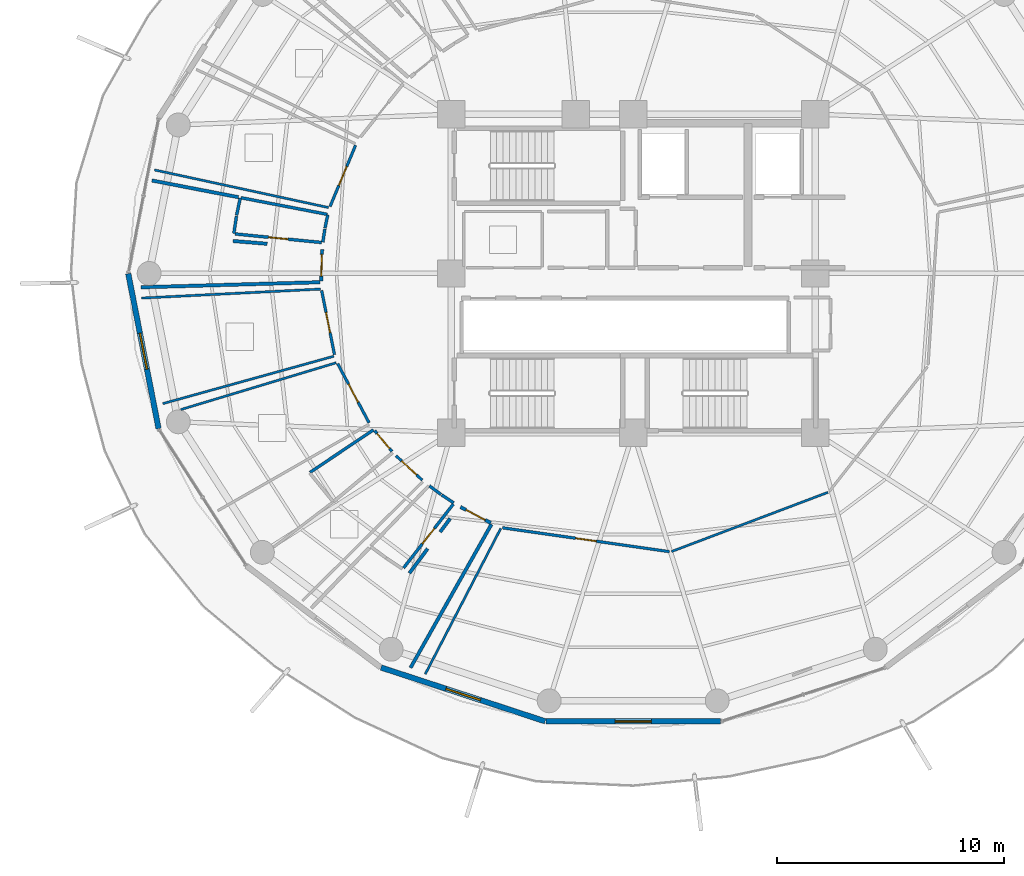
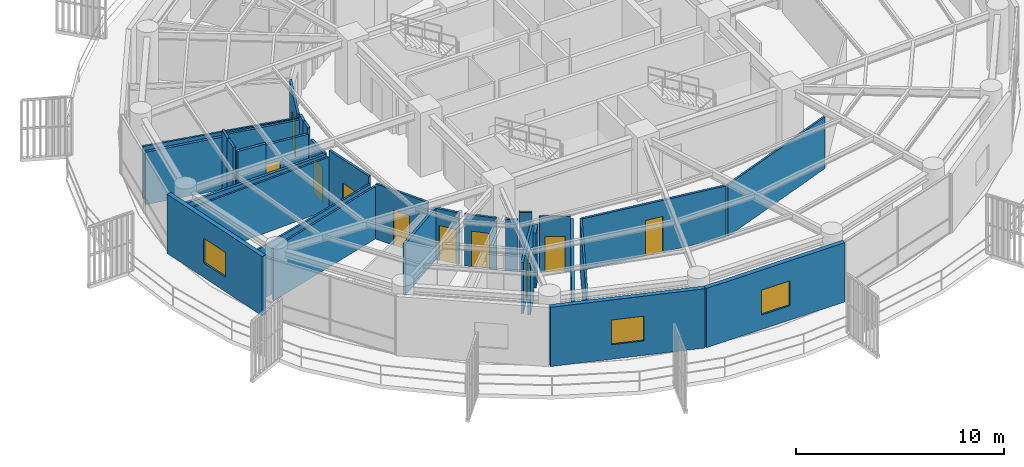
# One storey, part 24 of 31: 33 walls, 10 doors, 3 windows, 13 openings.
"""IFC4 building model written with IfcOpenShell, lengths in metres."""

from ifc_helpers import new_model, si_unit, direction, frame, frame_2d, origin, place, context, subcontext, project, spatial, rectangle, extrude, material, layer, layer_set, type_object, element, fill, save


model = new_model("IFC4")

# Units and contexts
model_context = context("Model", 3, precision=1e-05, world=origin(), true_north=direction((0.0, 1.0)))
body_context = subcontext(model_context, "Body", "Model", "MODEL_VIEW")
ifc_project = project(units=[si_unit("LENGTHUNIT", "METRE"), si_unit("AREAUNIT", "SQUARE_METRE"), si_unit("VOLUMEUNIT", "CUBIC_METRE"), si_unit("PLANEANGLEUNIT", "RADIAN"), si_unit("MASSUNIT", "GRAM", prefix="KILO")], contexts=[model_context])

# Site, building, storey
site_placement = place(None, origin())
site = spatial("IfcSite", under=ifc_project, at=site_placement, CompositionType="ELEMENT")
building_placement = place(site_placement, origin())
building = spatial("IfcBuilding", under=site, at=building_placement, Name="Kelanora Arch Commons", CompositionType="ELEMENT")
storey_placement = place(building_placement, frame((0.0, 0.0, 200.699951171875)))
storey = spatial("IfcBuildingStorey", under=building, at=storey_placement, Name="L51", CompositionType="ELEMENT", Elevation=200.699951171875)

# Wall, opening, door
ifc_material_1 = material(Name="Autoclaved aerated concrete blockwork with fire plaster", Category="masonry")
ifc_layer_1 = layer(ifc_material_1, 0.14990234375)
ifc_layer_set_1 = layer_set([ifc_layer_1], Name="Autoclaved aerated concrete blockwork with fire plaster")
wall_type_1 = type_object("IfcWallType", Name="W-COMP-150", PredefinedType="PARTITIONING", material=ifc_layer_set_1)
wall_1_placement = place(storey_placement, frame((60.322998046875, 59.0458984375, 0.0), z_axis=(0.0, 0.0, 1.0), x_axis=(-0.032172559415, -0.999482329219, 0.0)))
wall_1 = element("IfcWall", 1, at=wall_1_placement, inside=storey, type_object=wall_type_1, Name="Co-Living Studio L51-04 Entry Partition", PredefinedType="PARTITIONING", context=body_context, shape_type="SweptSolid", body=[
    extrude(rectangle(XDim=1.37353515625, YDim=0.14990234375, at=frame_2d((0.686767578125, 0.0))), origin(), (0.0, 0.0, 1.0), 3.025146484375),
])
opening_1_placement = place(wall_1_placement, frame((0.2119140625, 0.0, 0.0)))
opening_1 = element("IfcOpeningElement", 2, at=opening_1_placement, cuts=wall_1, Name="Opening D-CLU1", PredefinedType="OPENING", context=body_context, shape_type="SweptSolid", body=[
    extrude(rectangle(XDim=0.949951171875, YDim=2.080078125, at=frame_2d((0.47509765625, 1.0400390625))), frame((0.0, 0.0849609375, 0.0), z_axis=(0.0, -1.0, 0.0), x_axis=(1.0, 0.0, 0.0)), (0.0, 0.0, 1.0), 0.169921875),
])
ifc_material_2 = material(Name="Solid-core acoustic timber cluster entry fire door", Category="wood")
door_type_1 = type_object("IfcDoorType", Name="D-CLU-95", OperationType="NOTDEFINED", PredefinedType="DOOR", material=ifc_material_2)
door_1_placement = place(opening_1_placement, origin())
door_1 = element("IfcDoor", 3, at=door_1_placement, inside=storey, type_object=door_type_1, Name="Co-Living Studio L51-04 Door", OperationType="SINGLE_SWING_RIGHT", OverallHeight=2.080078125, OverallWidth=0.949951171875, PredefinedType="DOOR", context=body_context, shape_type="SweptSolid", body=[
    extrude(rectangle(XDim=0.949951171875, YDim=2.080078125, at=frame_2d((0.47509765625, 1.0400390625))), frame((0.0, 0.02490234375, 0.0), z_axis=(0.0, -1.0, 0.0), x_axis=(1.0, 0.0, 0.0)), (0.0, 0.0, 1.0), 0.050048828125),
])
fill(opening_1, door_1)

wall_2_placement = place(storey_placement, frame((66.406005859375, 47.73193359375, 0.0), z_axis=(0.0, 0.0, 1.0), x_axis=(0.884766555002, -0.466034487083, 0.0)))
wall_2 = element("IfcWall", 4, at=wall_2_placement, inside=storey, type_object=wall_type_1, Name="Co-Living Studio L51-08 Entry Partition", PredefinedType="PARTITIONING", context=body_context, shape_type="SweptSolid", body=[
    extrude(rectangle(XDim=1.501953125, YDim=0.14990234375, at=frame_2d((0.7509765625, 0.0))), origin(), (0.0, 0.0, 1.0), 3.235107421875),
])
opening_2_placement = place(wall_2_placement, frame((0.27587890625, 0.0, 0.0)))
opening_2 = element("IfcOpeningElement", 5, at=opening_2_placement, cuts=wall_2, Name="Opening D-CLU1", PredefinedType="OPENING", context=body_context, shape_type="SweptSolid", body=[
    extrude(rectangle(XDim=0.949951171875, YDim=2.080078125, at=frame_2d((0.47509765625, 1.0400390625))), frame((0.0, 0.0849609375, 0.0), z_axis=(0.0, -1.0, 0.0), x_axis=(1.0, 0.0, 0.0)), (0.0, 0.0, 1.0), 0.169921875),
])
door_2_placement = place(opening_2_placement, origin())
door_2 = element("IfcDoor", 6, at=door_2_placement, inside=storey, type_object=door_type_1, Name="Co-Living Studio L51-08 Door", OperationType="SINGLE_SWING_RIGHT", OverallHeight=2.080078125, OverallWidth=0.949951171875, PredefinedType="DOOR", context=body_context, shape_type="SweptSolid", body=[
    extrude(rectangle(XDim=0.949951171875, YDim=2.080078125, at=frame_2d((0.47509765625, 1.0400390625))), frame((0.0, 0.02490234375, 0.0), z_axis=(0.0, -1.0, 0.0), x_axis=(1.0, 0.0, 0.0)), (0.0, 0.0, 1.0), 0.050048828125),
])
fill(opening_2, door_2)

# Walls
wall_3_placement = place(storey_placement, frame((60.237060546875, 57.61181640625, 0.0), z_axis=(0.0, 0.0, 1.0), x_axis=(-0.999599617875, -0.028294945576, 0.0)))
element("IfcWall", 7, at=wall_3_placement, inside=storey, type_object=wall_type_1, Name="Co-Living Studio L51-04 Enclosure Partition 2", PredefinedType="PARTITIONING", context=body_context, shape_type="SweptSolid", body=[
    extrude(rectangle(XDim=7.869140625, YDim=0.14990234375, at=frame_2d((3.9345703125, 0.0))), origin(), (0.0, 0.0, 1.0), 3.074951171875),
])
wall_4_placement = place(storey_placement, frame((52.84326171875, 62.08447265625, 0.0), z_axis=(0.0, 0.0, 1.0), x_axis=(0.981831342876, -0.189755669601, 0.0)))
element("IfcWall", 8, at=wall_4_placement, inside=storey, type_object=wall_type_1, Name="Co-Living Studio L51-04 Enclosure Partition 5", PredefinedType="PARTITIONING", context=body_context, shape_type="SweptSolid", body=[
    extrude(rectangle(XDim=3.8779296875, YDim=0.14990234375, at=frame_2d((1.93896484375, 0.0))), origin(), (0.0, 0.0, 1.0), 3.074951171875),
])
wall_5_placement = place(storey_placement, frame((56.406005859375, 59.423828125, 0.0), z_axis=(0.0, 0.0, 1.0), x_axis=(0.996727287989, -0.080837574046, 0.0)))
element("IfcWall", 9, at=wall_5_placement, inside=storey, type_object=wall_type_1, Name="Co-Living Studio L51-04 Enclosure Partition 7", PredefinedType="PARTITIONING", context=body_context, shape_type="SweptSolid", body=[
    extrude(rectangle(XDim=1.510009765625, YDim=0.14990234375, at=frame_2d((0.7548828125, 0.0))), origin(), (0.0, 0.0, 1.0), 3.47998046875),
])
wall_6_placement = place(storey_placement, frame((67.768310546875, 46.96923828125, 0.0), z_axis=(0.0, 0.0, 1.0), x_axis=(-0.491338239217, -0.870968848285, 0.0)))
element("IfcWall", 10, at=wall_6_placement, inside=storey, type_object=wall_type_1, Name="Co-Living Studio L51-08 Enclosure Partition 2", PredefinedType="PARTITIONING", context=body_context, shape_type="SweptSolid", body=[
    extrude(rectangle(XDim=7.24072265625, YDim=0.14990234375, at=frame_2d((3.620361328125, 0.0))), origin(), (0.0, 0.0, 1.0), 3.074951171875),
])
wall_7_placement = place(storey_placement, frame((64.161865234375, 44.822998046875, 0.0), z_axis=(0.0, 0.0, 1.0), x_axis=(0.597925227294, 0.801551883889, 0.0)))
element("IfcWall", 11, at=wall_7_placement, inside=storey, type_object=wall_type_1, Name="Co-Living Studio L51-08 Enclosure Partition 7", PredefinedType="PARTITIONING", context=body_context, shape_type="SweptSolid", body=[
    extrude(rectangle(XDim=1.338134765625, YDim=0.14990234375, at=frame_2d((0.6689453125, 0.0))), origin(), (0.0, 0.0, 1.0), 3.025146484375),
])
wall_8_placement = place(storey_placement, frame((65.51220703125, 46.633056640625, 0.0), z_axis=(0.0, 0.0, 1.0), x_axis=(0.598093921347, 0.801426017327, 0.0)))
element("IfcWall", 12, at=wall_8_placement, inside=storey, type_object=wall_type_1, Name="Co-Living Studio L51-08 Enclosure Partition 7", PredefinedType="PARTITIONING", context=body_context, shape_type="SweptSolid", body=[
    extrude(rectangle(XDim=0.738525390625, YDim=0.14990234375, at=frame_2d((0.369140625, 0.0))), origin(), (0.0, 0.0, 1.0), 3.235107421875),
])

# Wall, opening, window
ifc_material_3 = material(Name="Precast concrete C40/50 upper-zone terracotta rainscreen", Category="masonry")
ifc_layer_2 = layer(ifc_material_3, 0.239990234375)
ifc_layer_set_2 = layer_set([ifc_layer_2], Name="Precast concrete C40/50 upper-zone terracotta rainscreen")
wall_type_2 = type_object("IfcWallType", Name="W-EXT-TC2", PredefinedType="SOLIDWALL", material=ifc_layer_set_2)
wall_9_placement = place(storey_placement, frame((51.802978515625, 57.9853515625, 0.0), z_axis=(0.0, 0.0, 1.0), x_axis=(0.192069055673, -0.981381413036, 0.0)))
wall_9 = element("IfcWall", 13, at=wall_9_placement, inside=storey, type_object=wall_type_2, Name="Terracotta Exterior Wall L51-B09", PredefinedType="SOLIDWALL", context=body_context, shape_type="SweptSolid", body=[
    extrude(rectangle(XDim=6.940185546875, YDim=0.239990234375, at=frame_2d((3.47021484375, 0.0))), origin(), (0.0, 0.0, 1.0), 3.47509765625),
])
opening_3_placement = place(wall_9_placement, frame((2.669921875, 0.0, 0.85009765625)))
opening_3 = element("IfcOpeningElement", 14, at=opening_3_placement, cuts=wall_9, Name="Opening WN-01", PredefinedType="OPENING", context=body_context, shape_type="SweptSolid", body=[
    extrude(rectangle(XDim=1.60009765625, YDim=1.449951171875, at=frame_2d((0.800048828125, 0.72509765625))), frame((0.0, 0.1298828125, 0.0), z_axis=(0.0, -1.0, 0.0), x_axis=(1.0, 0.0, 0.0)), (0.0, 0.0, 1.0), 0.260009765625),
])
ifc_material_4 = material(Name="Terracotta-anodised aluminium frame with operable low-E glazing", Category="masonry")
window_type = type_object("IfcWindowType", Name="WIN-CL-18", PartitioningType="DOUBLE_PANEL_VERTICAL", PredefinedType="WINDOW", material=ifc_material_4)
window_1_placement = place(opening_3_placement, origin())
window_1 = element("IfcWindow", 15, at=window_1_placement, inside=storey, type_object=window_type, Name="Co-Living Operable Window L51-B09", OverallHeight=1.449951171875, OverallWidth=1.60009765625, PartitioningType="SINGLE_PANEL", PredefinedType="WINDOW", context=body_context, shape_type="SweptSolid", body=[
    extrude(rectangle(XDim=1.60009765625, YDim=1.449951171875, at=frame_2d((0.800048828125, 0.72509765625))), frame((0.0, 0.030029296875, 0.0), z_axis=(0.0, -1.0, 0.0), x_axis=(1.0, 0.0, 0.0)), (0.0, 0.0, 1.0), 0.06005859375),
])
fill(opening_3, window_1)

wall_10_placement = place(storey_placement, frame((62.914306640625, 40.6748046875, 0.0), z_axis=(0.0, 0.0, 1.0), x_axis=(0.95022142767, -0.31157541366, 0.0)))
wall_10 = element("IfcWall", 16, at=wall_10_placement, inside=storey, type_object=wall_type_2, Name="Terracotta Exterior Wall L51-B12", PredefinedType="SOLIDWALL", context=body_context, shape_type="SweptSolid", body=[
    extrude(rectangle(XDim=7.59423828125, YDim=0.239990234375, at=frame_2d((3.797119140625, 0.0))), origin(), (0.0, 0.0, 1.0), 3.47509765625),
])
opening_4_placement = place(wall_10_placement, frame((2.9970703125, 0.0, 0.85009765625)))
opening_4 = element("IfcOpeningElement", 17, at=opening_4_placement, cuts=wall_10, Name="Opening WN-01", PredefinedType="OPENING", context=body_context, shape_type="SweptSolid", body=[
    extrude(rectangle(XDim=1.60009765625, YDim=1.449951171875, at=frame_2d((0.800048828125, 0.72509765625))), frame((0.0, 0.1298828125, 0.0), z_axis=(0.0, -1.0, 0.0), x_axis=(1.0, 0.0, 0.0)), (0.0, 0.0, 1.0), 0.260009765625),
])
window_2_placement = place(opening_4_placement, origin())
window_2 = element("IfcWindow", 18, at=window_2_placement, inside=storey, type_object=window_type, Name="Co-Living Operable Window L51-B12", OverallHeight=1.449951171875, OverallWidth=1.60009765625, PartitioningType="SINGLE_PANEL", PredefinedType="WINDOW", context=body_context, shape_type="SweptSolid", body=[
    extrude(rectangle(XDim=1.60009765625, YDim=1.449951171875, at=frame_2d((0.800048828125, 0.72509765625))), frame((0.0, 0.030029296875, 0.0), z_axis=(0.0, -1.0, 0.0), x_axis=(1.0, 0.0, 0.0)), (0.0, 0.0, 1.0), 0.06005859375),
])
fill(opening_4, window_2)

wall_11_placement = place(storey_placement, frame((70.159912109375, 38.3037109375, 0.0), z_axis=(0.0, 0.0, 1.0), x_axis=(1.0, 0.0, 0.0)))
wall_11 = element("IfcWall", 19, at=wall_11_placement, inside=storey, type_object=wall_type_2, Name="Terracotta Exterior Wall L51-B13", PredefinedType="SOLIDWALL", context=body_context, shape_type="SweptSolid", body=[
    extrude(rectangle(XDim=7.68017578125, YDim=0.239990234375, at=frame_2d((3.840087890625, 0.0))), origin(), (0.0, 0.0, 1.0), 3.47509765625),
])
opening_5_placement = place(wall_11_placement, frame((3.0400390625, 0.0, 0.85009765625)))
opening_5 = element("IfcOpeningElement", 20, at=opening_5_placement, cuts=wall_11, Name="Opening WN-01", PredefinedType="OPENING", context=body_context, shape_type="SweptSolid", body=[
    extrude(rectangle(XDim=1.60009765625, YDim=1.449951171875, at=frame_2d((0.800048828125, 0.72509765625))), frame((0.0, 0.1298828125, 0.0), z_axis=(0.0, -1.0, 0.0), x_axis=(1.0, 0.0, 0.0)), (0.0, 0.0, 1.0), 0.260009765625),
])
window_3_placement = place(opening_5_placement, origin())
window_3 = element("IfcWindow", 21, at=window_3_placement, inside=storey, type_object=window_type, Name="Co-Living Operable Window L51-B13", OverallHeight=1.449951171875, OverallWidth=1.60009765625, PartitioningType="SINGLE_PANEL", PredefinedType="WINDOW", context=body_context, shape_type="SweptSolid", body=[
    extrude(rectangle(XDim=1.60009765625, YDim=1.449951171875, at=frame_2d((0.800048828125, 0.72509765625))), frame((0.0, 0.030029296875, 0.0), z_axis=(0.0, -1.0, 0.0), x_axis=(1.0, 0.0, 0.0)), (0.0, 0.0, 1.0), 0.06005859375),
])
fill(opening_5, window_3)

# Walls
ifc_material_5 = material(Name="Lightweight fire-rated acoustic stud partition")
ifc_layer_3 = layer(ifc_material_5, 0.10009765625)
ifc_layer_set_3 = layer_set([ifc_layer_3], Name="Lightweight fire-rated acoustic stud partition")
wall_type_3 = type_object("IfcWallType", Name="W-PART-100", PredefinedType="PARTITIONING", material=ifc_layer_set_3)
wall_12_placement = place(storey_placement, frame((75.686279296875, 45.773193359375, 0.0), z_axis=(0.0, 0.0, 1.0), x_axis=(0.935263689731, 0.353951734945, 0.0)))
element("IfcWall", 22, at=wall_12_placement, inside=storey, type_object=wall_type_3, Name="South-East Social Sky Lounge L51 Enclosure Partition 2", PredefinedType="PARTITIONING", context=body_context, shape_type="SweptSolid", body=[
    extrude(rectangle(XDim=7.35546875, YDim=0.10009765625, at=frame_2d((3.677734375, 0.0))), origin(), (0.0, 0.0, 1.0), 3.025146484375),
])
wall_13_placement = place(storey_placement, frame((64.8564453125, 40.380615234375, 0.0), z_axis=(0.0, 0.0, 1.0), x_axis=(0.460220418691, 0.887804689231, 0.0)))
element("IfcWall", 23, at=wall_13_placement, inside=storey, type_object=wall_type_3, Name="South-East Social Sky Lounge L51 Enclosure Partition 10", PredefinedType="PARTITIONING", context=body_context, shape_type="SweptSolid", body=[
    extrude(rectangle(XDim=7.21875, YDim=0.10009765625, at=frame_2d((3.609375, 0.0))), origin(), (0.0, 0.0, 1.0), 3.074951171875),
])
wall_14_placement = place(storey_placement, frame((60.61181640625, 60.892578125, 0.0), z_axis=(0.0, 0.0, 1.0), x_axis=(-0.977397622815, 0.211409287676, 0.0)))
element("IfcWall", 24, at=wall_14_placement, inside=storey, type_object=wall_type_3, Name="Quiet Seminar Study Room L51-03 Enclosure Partition 2", PredefinedType="PARTITIONING", context=body_context, shape_type="SweptSolid", body=[
    extrude(rectangle(XDim=7.82861328125, YDim=0.10009765625, at=frame_2d((3.914306640625, 0.0))), origin(), (0.0, 0.0, 1.0), 3.074951171875),
])
wall_15_placement = place(storey_placement, frame((60.840576171875, 54.3583984375, 0.0), z_axis=(0.0, 0.0, 1.0), x_axis=(-0.963696964369, -0.266998428582, 0.0)))
element("IfcWall", 25, at=wall_15_placement, inside=storey, type_object=wall_type_3, Name="Shared Cluster Kitchen L51-05 Enclosure Partition 2", PredefinedType="PARTITIONING", context=body_context, shape_type="SweptSolid", body=[
    extrude(rectangle(XDim=7.80419921875, YDim=0.10009765625, at=frame_2d((3.902099609375, 0.0))), origin(), (0.0, 0.0, 1.0), 3.074951171875),
])
wall_16_placement = place(storey_placement, frame((52.393798828125, 56.9150390625, 0.0), z_axis=(0.0, 0.0, 1.0), x_axis=(0.998738681635, 0.050210016992, 0.0)))
element("IfcWall", 26, at=wall_16_placement, inside=storey, type_object=wall_type_3, Name="Shared Cluster Kitchen L51-05 Enclosure Partition 4", PredefinedType="PARTITIONING", context=body_context, shape_type="SweptSolid", body=[
    extrude(rectangle(XDim=7.867431640625, YDim=0.10009765625, at=frame_2d((3.93359375, 0.0))), origin(), (0.0, 0.0, 1.0), 3.074951171875),
])
wall_17_placement = place(storey_placement, frame((54.113525390625, 52.01318359375, 0.0), z_axis=(0.0, 0.0, 1.0), x_axis=(0.957454305291, 0.288584915198, 0.0)))
element("IfcWall", 27, at=wall_17_placement, inside=storey, type_object=wall_type_3, Name="Social Sky Lounge L51-06 Enclosure Partition 4", PredefinedType="PARTITIONING", context=body_context, shape_type="SweptSolid", body=[
    extrude(rectangle(XDim=7.132568359375, YDim=0.10009765625, at=frame_2d((3.56640625, 0.0))), origin(), (0.0, 0.0, 1.0), 3.074951171875),
])

# Wall, opening, door
ifc_material_6 = material(Name="Acoustic twin-stud fire-rated gypsum partition")
ifc_layer_4 = layer(ifc_material_6, 0.1201171875)
ifc_layer_set_4 = layer_set([ifc_layer_4], Name="Acoustic twin-stud fire-rated gypsum partition")
wall_type_4 = type_object("IfcWallType", Name="W-PART-120", PredefinedType="PARTITIONING", material=ifc_layer_set_4)
wall_18_placement = place(storey_placement, frame((68.25634765625, 46.81640625, 0.0), z_axis=(0.0, 0.0, 1.0), x_axis=(0.989926410659, -0.141582843167, 0.0)))
wall_18 = element("IfcWall", 28, at=wall_18_placement, inside=storey, type_object=wall_type_4, Name="South-East Social Sky Lounge L51 Entry Partition", PredefinedType="PARTITIONING", context=body_context, shape_type="SweptSolid", body=[
    extrude(rectangle(XDim=7.407958984375, YDim=0.1201171875, at=frame_2d((3.7041015625, 0.0))), origin(), (0.0, 0.0, 1.0), 3.025146484375),
])
opening_6_placement = place(wall_18_placement, frame((3.25390625, 0.0, 0.0)))
opening_6 = element("IfcOpeningElement", 29, at=opening_6_placement, cuts=wall_18, Name="Opening D-RM1", PredefinedType="OPENING", context=body_context, shape_type="SweptSolid", body=[
    extrude(rectangle(XDim=0.89990234375, YDim=2.080078125, at=frame_2d((0.449951171875, 1.0400390625))), frame((0.0, 0.070068359375, 0.0), z_axis=(0.0, -1.0, 0.0), x_axis=(1.0, 0.0, 0.0)), (0.0, 0.0, 1.0), 0.14013671875),
])
ifc_material_7 = material(Name="Acoustic fire-rated timber study and lounge door", Category="wood")
door_type_2 = type_object("IfcDoorType", Name="D-ROOM-90", OperationType="NOTDEFINED", PredefinedType="DOOR", material=ifc_material_7)
door_3_placement = place(opening_6_placement, origin())
door_3 = element("IfcDoor", 30, at=door_3_placement, inside=storey, type_object=door_type_2, Name="South-East Social Sky Lounge L51 Door", OperationType="SINGLE_SWING_LEFT", OverallHeight=2.080078125, OverallWidth=0.89990234375, PredefinedType="DOOR", context=body_context, shape_type="SweptSolid", body=[
    extrude(rectangle(XDim=0.89990234375, YDim=2.080078125, at=frame_2d((0.449951171875, 1.0400390625))), frame((0.0, 0.02490234375, 0.0), z_axis=(0.0, -1.0, 0.0), x_axis=(1.0, 0.0, 0.0)), (0.0, 0.0, 1.0), 0.050048828125),
])
fill(opening_6, door_3)

wall_19_placement = place(storey_placement, frame((61.79296875, 63.628662109375, 0.0), z_axis=(0.0, 0.0, 1.0), x_axis=(-0.384145151494, -0.923272713007, 0.0)))
wall_19 = element("IfcWall", 31, at=wall_19_placement, inside=storey, type_object=wall_type_4, Name="Quiet Seminar Study Room L51-03 Entry Partition", PredefinedType="PARTITIONING", context=body_context, shape_type="SweptSolid", body=[
    extrude(rectangle(XDim=2.91259765625, YDim=0.1201171875, at=frame_2d((1.456298828125, 0.0))), origin(), (0.0, 0.0, 1.0), 3.235107421875),
])
opening_7_placement = place(wall_19_placement, frame((1.006103515625, 0.0, 0.0)))
opening_7 = element("IfcOpeningElement", 32, at=opening_7_placement, cuts=wall_19, Name="Opening D-RM1", PredefinedType="OPENING", context=body_context, shape_type="SweptSolid", body=[
    extrude(rectangle(XDim=0.89990234375, YDim=2.080078125, at=frame_2d((0.449951171875, 1.0400390625))), frame((0.0, 0.070068359375, 0.0), z_axis=(0.0, -1.0, 0.0), x_axis=(1.0, 0.0, 0.0)), (0.0, 0.0, 1.0), 0.14013671875),
])
door_4_placement = place(opening_7_placement, origin())
door_4 = element("IfcDoor", 33, at=door_4_placement, inside=storey, type_object=door_type_2, Name="Quiet Seminar Study Room L51-03 Door", OperationType="SINGLE_SWING_RIGHT", OverallHeight=2.080078125, OverallWidth=0.89990234375, PredefinedType="DOOR", context=body_context, shape_type="SweptSolid", body=[
    extrude(rectangle(XDim=0.89990234375, YDim=2.080078125, at=frame_2d((0.449951171875, 1.0400390625))), frame((0.0, 0.02490234375, 0.0), z_axis=(0.0, -1.0, 0.0), x_axis=(1.0, 0.0, 0.0)), (0.0, 0.0, 1.0), 0.050048828125),
])
fill(opening_7, door_4)

wall_20_placement = place(storey_placement, frame((60.302734375, 57.253173828125, 0.0), z_axis=(0.0, 0.0, 1.0), x_axis=(0.195904296331, -0.980623019656, 0.0)))
wall_20 = element("IfcWall", 34, at=wall_20_placement, inside=storey, type_object=wall_type_4, Name="Shared Cluster Kitchen L51-05 Entry Partition", PredefinedType="PARTITIONING", context=body_context, shape_type="SweptSolid", body=[
    extrude(rectangle(XDim=2.88134765625, YDim=0.1201171875, at=frame_2d((1.440673828125, 0.0))), origin(), (0.0, 0.0, 1.0), 3.47998046875),
])
opening_8_placement = place(wall_20_placement, frame((0.990966796875, 0.0, 0.0)))
opening_8 = element("IfcOpeningElement", 35, at=opening_8_placement, cuts=wall_20, Name="Opening D-RM1", PredefinedType="OPENING", context=body_context, shape_type="SweptSolid", body=[
    extrude(rectangle(XDim=0.89990234375, YDim=2.080078125, at=frame_2d((0.449951171875, 1.0400390625))), frame((0.0, 0.070068359375, 0.0), z_axis=(0.0, -1.0, 0.0), x_axis=(1.0, 0.0, 0.0)), (0.0, 0.0, 1.0), 0.14013671875),
])
door_5_placement = place(opening_8_placement, origin())
door_5 = element("IfcDoor", 36, at=door_5_placement, inside=storey, type_object=door_type_2, Name="Shared Cluster Kitchen L51-05 Door", OperationType="SINGLE_SWING_LEFT", OverallHeight=2.080078125, OverallWidth=0.89990234375, PredefinedType="DOOR", context=body_context, shape_type="SweptSolid", body=[
    extrude(rectangle(XDim=0.89990234375, YDim=2.080078125, at=frame_2d((0.449951171875, 1.0400390625))), frame((0.0, 0.02490234375, 0.0), z_axis=(0.0, -1.0, 0.0), x_axis=(1.0, 0.0, 0.0)), (0.0, 0.0, 1.0), 0.050048828125),
])
fill(opening_8, door_5)

wall_21_placement = place(storey_placement, frame((61.009033203125, 54.030029296875, 0.0), z_axis=(0.0, 0.0, 1.0), x_axis=(0.468999166779, -0.883198608219, 0.0)))
wall_21 = element("IfcWall", 37, at=wall_21_placement, inside=storey, type_object=wall_type_4, Name="Social Sky Lounge L51-06 Entry Partition", PredefinedType="PARTITIONING", context=body_context, shape_type="SweptSolid", body=[
    extrude(rectangle(XDim=2.93603515625, YDim=0.1201171875, at=frame_2d((1.468017578125, 0.0))), origin(), (0.0, 0.0, 1.0), 3.235107421875),
])
opening_9_placement = place(wall_21_placement, frame((1.01806640625, 0.0, 0.0)))
opening_9 = element("IfcOpeningElement", 38, at=opening_9_placement, cuts=wall_21, Name="Opening D-RM1", PredefinedType="OPENING", context=body_context, shape_type="SweptSolid", body=[
    extrude(rectangle(XDim=0.89990234375, YDim=2.080078125, at=frame_2d((0.449951171875, 1.0400390625))), frame((0.0, 0.070068359375, 0.0), z_axis=(0.0, -1.0, 0.0), x_axis=(1.0, 0.0, 0.0)), (0.0, 0.0, 1.0), 0.14013671875),
])
door_6_placement = place(opening_9_placement, origin())
door_6 = element("IfcDoor", 39, at=door_6_placement, inside=storey, type_object=door_type_2, Name="Social Sky Lounge L51-06 Door", OperationType="SINGLE_SWING_RIGHT", OverallHeight=2.080078125, OverallWidth=0.89990234375, PredefinedType="DOOR", context=body_context, shape_type="SweptSolid", body=[
    extrude(rectangle(XDim=0.89990234375, YDim=2.080078125, at=frame_2d((0.449951171875, 1.0400390625))), frame((0.0, 0.02490234375, 0.0), z_axis=(0.0, -1.0, 0.0), x_axis=(1.0, 0.0, 0.0)), (0.0, 0.0, 1.0), 0.050048828125),
])
fill(opening_9, door_6)

wall_22_placement = place(storey_placement, frame((63.56884765625, 49.98828125, 0.0), z_axis=(0.0, 0.0, 1.0), x_axis=(0.732453034456, -0.680817561698, 0.0)))
wall_22 = element("IfcWall", 40, at=wall_22_placement, inside=storey, type_object=wall_type_4, Name="Tutorial Study Alcove L51-07 Entry Partition", PredefinedType="PARTITIONING", context=body_context, shape_type="SweptSolid", body=[
    extrude(rectangle(XDim=1.583984375, YDim=0.1201171875, at=frame_2d((0.7919921875, 0.0))), origin(), (0.0, 0.0, 1.0), 3.025146484375),
])
opening_10_placement = place(wall_22_placement, frame((0.342041015625, 0.0, 0.0)))
opening_10 = element("IfcOpeningElement", 41, at=opening_10_placement, cuts=wall_22, Name="Opening D-RM1", PredefinedType="OPENING", context=body_context, shape_type="SweptSolid", body=[
    extrude(rectangle(XDim=0.89990234375, YDim=2.080078125, at=frame_2d((0.449951171875, 1.0400390625))), frame((0.0, 0.070068359375, 0.0), z_axis=(0.0, -1.0, 0.0), x_axis=(1.0, 0.0, 0.0)), (0.0, 0.0, 1.0), 0.14013671875),
])
door_7_placement = place(opening_10_placement, origin())
door_7 = element("IfcDoor", 42, at=door_7_placement, inside=storey, type_object=door_type_2, Name="Tutorial Study Alcove L51-07 Door", OperationType="SINGLE_SWING_RIGHT", OverallHeight=2.080078125, OverallWidth=0.89990234375, PredefinedType="DOOR", context=body_context, shape_type="SweptSolid", body=[
    extrude(rectangle(XDim=0.89990234375, YDim=2.080078125, at=frame_2d((0.449951171875, 1.0400390625))), frame((0.0, 0.02490234375, 0.0), z_axis=(0.0, -1.0, 0.0), x_axis=(1.0, 0.0, 0.0)), (0.0, 0.0, 1.0), 0.050048828125),
])
fill(opening_10, door_7)

ifc_material_8 = material(Name="Moisture-resistant fire-rated cement-board plumbing wall")
ifc_layer_5 = layer(ifc_material_8, 0.1298828125)
ifc_layer_set_5 = layer_set([ifc_layer_5], Name="Moisture-resistant fire-rated cement-board plumbing wall")
wall_type_5 = type_object("IfcWallType", Name="W-WET-120", PredefinedType="PLUMBINGWALL", material=ifc_layer_set_5)
wall_23_placement = place(storey_placement, frame((60.293212890625, 59.35888671875, 0.0), z_axis=(0.0, 0.0, 1.0), x_axis=(-0.995138182823, 0.098488563232, 0.0)))
wall_23 = element("IfcWall", 43, at=wall_23_placement, inside=storey, type_object=wall_type_5, Name="En-Suite Shower WC L51-04 Entry Partition", PredefinedType="PLUMBINGWALL", context=body_context, shape_type="SweptSolid", body=[
    extrude(rectangle(XDim=3.81005859375, YDim=0.1298828125, at=frame_2d((1.905029296875, 0.0))), origin(), (0.0, 0.0, 1.0), 3.175048828125),
])
opening_11_placement = place(wall_23_placement, frame((1.47509765625, 0.0, 0.0)))
opening_11 = element("IfcOpeningElement", 44, at=opening_11_placement, cuts=wall_23, Name="Opening D-BT1", PredefinedType="OPENING", context=body_context, shape_type="SweptSolid", body=[
    extrude(rectangle(XDim=0.860107421875, YDim=2.050048828125, at=frame_2d((0.43017578125, 1.02490234375))), frame((0.0, 0.074951171875, 0.0), z_axis=(0.0, -1.0, 0.0), x_axis=(1.0, 0.0, 0.0)), (0.0, 0.0, 1.0), 0.14990234375),
])
ifc_material_9 = material(Name="Moisture-sealed fire-rated accessible bathroom door")
door_type_3 = type_object("IfcDoorType", Name="D-BATH-85", OperationType="NOTDEFINED", PredefinedType="DOOR", material=ifc_material_9)
door_8_placement = place(opening_11_placement, origin())
door_8 = element("IfcDoor", 45, at=door_8_placement, inside=storey, type_object=door_type_3, Name="En-Suite Shower WC L51-04 Door", OperationType="SINGLE_SWING_LEFT", OverallHeight=2.050048828125, OverallWidth=0.860107421875, PredefinedType="DOOR", context=body_context, shape_type="SweptSolid", body=[
    extrude(rectangle(XDim=0.860107421875, YDim=2.050048828125, at=frame_2d((0.43017578125, 1.02490234375))), frame((0.0, 0.02490234375, 0.0), z_axis=(0.0, -1.0, 0.0), x_axis=(1.0, 0.0, 0.0)), (0.0, 0.0, 1.0), 0.050048828125),
])
fill(opening_11, door_8)

wall_24_placement = place(storey_placement, frame((62.635498046875, 51.0859375, 0.0), z_axis=(0.0, 0.0, 1.0), x_axis=(0.639759255057, -0.768575367526, 0.0)))
wall_24 = element("IfcWall", 46, at=wall_24_placement, inside=storey, type_object=wall_type_5, Name="Accessible Shared Floor WC L51-07 Entry Partition", PredefinedType="PLUMBINGWALL", context=body_context, shape_type="SweptSolid", body=[
    extrude(rectangle(XDim=1.1865234375, YDim=0.1298828125, at=frame_2d((0.59326171875, 0.0))), origin(), (0.0, 0.0, 1.0), 3.025146484375),
])
opening_12_placement = place(wall_24_placement, frame((0.1630859375, 0.0, 0.0)))
opening_12 = element("IfcOpeningElement", 47, at=opening_12_placement, cuts=wall_24, Name="Opening D-BT1", PredefinedType="OPENING", context=body_context, shape_type="SweptSolid", body=[
    extrude(rectangle(XDim=0.860107421875, YDim=2.050048828125, at=frame_2d((0.43017578125, 1.02490234375))), frame((0.0, 0.074951171875, 0.0), z_axis=(0.0, -1.0, 0.0), x_axis=(1.0, 0.0, 0.0)), (0.0, 0.0, 1.0), 0.14990234375),
])
door_9_placement = place(opening_12_placement, origin())
door_9 = element("IfcDoor", 48, at=door_9_placement, inside=storey, type_object=door_type_3, Name="Accessible Shared Floor WC L51-07 Door", OperationType="SINGLE_SWING_LEFT", OverallHeight=2.050048828125, OverallWidth=0.860107421875, PredefinedType="DOOR", context=body_context, shape_type="SweptSolid", body=[
    extrude(rectangle(XDim=0.860107421875, YDim=2.050048828125, at=frame_2d((0.43017578125, 1.02490234375))), frame((0.0, 0.02490234375, 0.0), z_axis=(0.0, -1.0, 0.0), x_axis=(1.0, 0.0, 0.0)), (0.0, 0.0, 1.0), 0.050048828125),
])
fill(opening_12, door_9)

wall_25_placement = place(storey_placement, frame((66.088134765625, 47.852783203125, 0.0), z_axis=(0.0, 0.0, 1.0), x_axis=(-0.614711227896, -0.788752246462, 0.0)))
wall_25 = element("IfcWall", 49, at=wall_25_placement, inside=storey, type_object=wall_type_5, Name="En-Suite Shower WC L51-08 Entry Partition", PredefinedType="PLUMBINGWALL", context=body_context, shape_type="SweptSolid", body=[
    extrude(rectangle(XDim=3.5517578125, YDim=0.1298828125, at=frame_2d((1.77587890625, 0.0))), origin(), (0.0, 0.0, 1.0), 3.025146484375),
])
opening_13_placement = place(wall_25_placement, frame((1.345947265625, 0.0, 0.0)))
opening_13 = element("IfcOpeningElement", 50, at=opening_13_placement, cuts=wall_25, Name="Opening D-BT1", PredefinedType="OPENING", context=body_context, shape_type="SweptSolid", body=[
    extrude(rectangle(XDim=0.860107421875, YDim=2.050048828125, at=frame_2d((0.43017578125, 1.02490234375))), frame((0.0, 0.074951171875, 0.0), z_axis=(0.0, -1.0, 0.0), x_axis=(1.0, 0.0, 0.0)), (0.0, 0.0, 1.0), 0.14990234375),
])
door_10_placement = place(opening_13_placement, origin())
door_10 = element("IfcDoor", 51, at=door_10_placement, inside=storey, type_object=door_type_3, Name="En-Suite Shower WC L51-08 Door", OperationType="SINGLE_SWING_LEFT", OverallHeight=2.050048828125, OverallWidth=0.860107421875, PredefinedType="DOOR", context=body_context, shape_type="SweptSolid", body=[
    extrude(rectangle(XDim=0.860107421875, YDim=2.050048828125, at=frame_2d((0.43017578125, 1.02490234375))), frame((0.0, 0.02490234375, 0.0), z_axis=(0.0, -1.0, 0.0), x_axis=(1.0, 0.0, 0.0)), (0.0, 0.0, 1.0), 0.050048828125),
])
fill(opening_13, door_10)

# Walls
wall_26_placement = place(storey_placement, frame((60.572021484375, 60.5703125, 0.0), z_axis=(0.0, 0.0, 1.0), x_axis=(-0.205112412682, -0.978738421727, 0.0)))
element("IfcWall", 52, at=wall_26_placement, inside=storey, type_object=wall_type_5, Name="En-Suite Shower WC L51-04 Enclosure Partition 1", PredefinedType="PLUMBINGWALL", context=body_context, shape_type="SweptSolid", body=[
    extrude(rectangle(XDim=0.589111328125, YDim=0.1298828125, at=frame_2d((0.29443359375, 0.0))), origin(), (0.0, 0.0, 1.0), 3.47998046875),
])
wall_27_placement = place(storey_placement, frame((60.444091796875, 59.9541015625, 0.0), z_axis=(0.0, 0.0, 1.0), x_axis=(-0.149903785265, -0.98870058924, 0.0)))
element("IfcWall", 53, at=wall_27_placement, inside=storey, type_object=wall_type_5, Name="En-Suite Shower WC L51-04 Enclosure Partition 2", PredefinedType="PLUMBINGWALL", context=body_context, shape_type="SweptSolid", body=[
    extrude(rectangle(XDim=0.587890625, YDim=0.1298828125, at=frame_2d((0.2939453125, 0.0))), origin(), (0.0, 0.0, 1.0), 3.47998046875),
])
wall_28_placement = place(storey_placement, frame((56.445068359375, 59.759765625, 0.0), z_axis=(0.0, 0.0, 1.0), x_axis=(0.149504479532, 0.988761048282, 0.0)))
element("IfcWall", 54, at=wall_28_placement, inside=storey, type_object=wall_type_5, Name="En-Suite Shower WC L51-04 Enclosure Partition 4", PredefinedType="PLUMBINGWALL", context=body_context, shape_type="SweptSolid", body=[
    extrude(rectangle(XDim=0.76904296875, YDim=0.1298828125, at=frame_2d((0.384521484375, 0.0))), origin(), (0.0, 0.0, 1.0), 3.47998046875),
])
wall_29_placement = place(storey_placement, frame((56.567138671875, 60.5595703125, 0.0), z_axis=(0.0, 0.0, 1.0), x_axis=(0.205018710415, 0.978758054056, 0.0)))
element("IfcWall", 55, at=wall_29_placement, inside=storey, type_object=wall_type_5, Name="En-Suite Shower WC L51-04 Enclosure Partition 5", PredefinedType="PLUMBINGWALL", context=body_context, shape_type="SweptSolid", body=[
    extrude(rectangle(XDim=0.769287109375, YDim=0.1298828125, at=frame_2d((0.384765625, 0.0))), origin(), (0.0, 0.0, 1.0), 3.47998046875),
])
wall_30_placement = place(storey_placement, frame((56.74853515625, 61.328125, 0.0), z_axis=(0.0, 0.0, 1.0), x_axis=(0.981906173962, -0.189368068941, 0.0)))
element("IfcWall", 56, at=wall_30_placement, inside=storey, type_object=wall_type_5, Name="En-Suite Shower WC L51-04 Enclosure Partition 6", PredefinedType="PLUMBINGWALL", context=body_context, shape_type="SweptSolid", body=[
    extrude(rectangle(XDim=3.8779296875, YDim=0.1298828125, at=frame_2d((1.93896484375, 0.0))), origin(), (0.0, 0.0, 1.0), 3.175048828125),
])
wall_31_placement = place(storey_placement, frame((59.79052734375, 49.2490234375, 0.0), z_axis=(0.0, 0.0, 1.0), x_axis=(0.830403176275, 0.557162960751, 0.0)))
element("IfcWall", 57, at=wall_31_placement, inside=storey, type_object=wall_type_5, Name="Accessible Shared Floor WC L51-07 Enclosure Partition 4", PredefinedType="PLUMBINGWALL", context=body_context, shape_type="SweptSolid", body=[
    extrude(rectangle(XDim=3.359619140625, YDim=0.1298828125, at=frame_2d((1.6796875, 0.0))), origin(), (0.0, 0.0, 1.0), 3.025146484375),
])
wall_32_placement = place(storey_placement, frame((65.0400390625, 48.658203125, 0.0), z_axis=(0.0, 0.0, 1.0), x_axis=(0.804987739936, -0.593291444867, 0.0)))
element("IfcWall", 58, at=wall_32_placement, inside=storey, type_object=wall_type_5, Name="En-Suite Shower WC L51-08 Enclosure Partition 1", PredefinedType="PLUMBINGWALL", context=body_context, shape_type="SweptSolid", body=[
    extrude(rectangle(XDim=0.630859375, YDim=0.1298828125, at=frame_2d((0.3154296875, 0.0))), origin(), (0.0, 0.0, 1.0), 3.025146484375),
])
wall_33_placement = place(storey_placement, frame((65.580810546875, 48.260986328125, 0.0), z_axis=(0.0, 0.0, 1.0), x_axis=(0.83341242139, -0.55265155014, 0.0)))
element("IfcWall", 59, at=wall_33_placement, inside=storey, type_object=wall_type_5, Name="En-Suite Shower WC L51-08 Enclosure Partition 2", PredefinedType="PLUMBINGWALL", context=body_context, shape_type="SweptSolid", body=[
    extrude(rectangle(XDim=0.633056640625, YDim=0.1298828125, at=frame_2d((0.31640625, 0.0))), origin(), (0.0, 0.0, 1.0), 3.47998046875),
])

save(model, "model.ifc")
